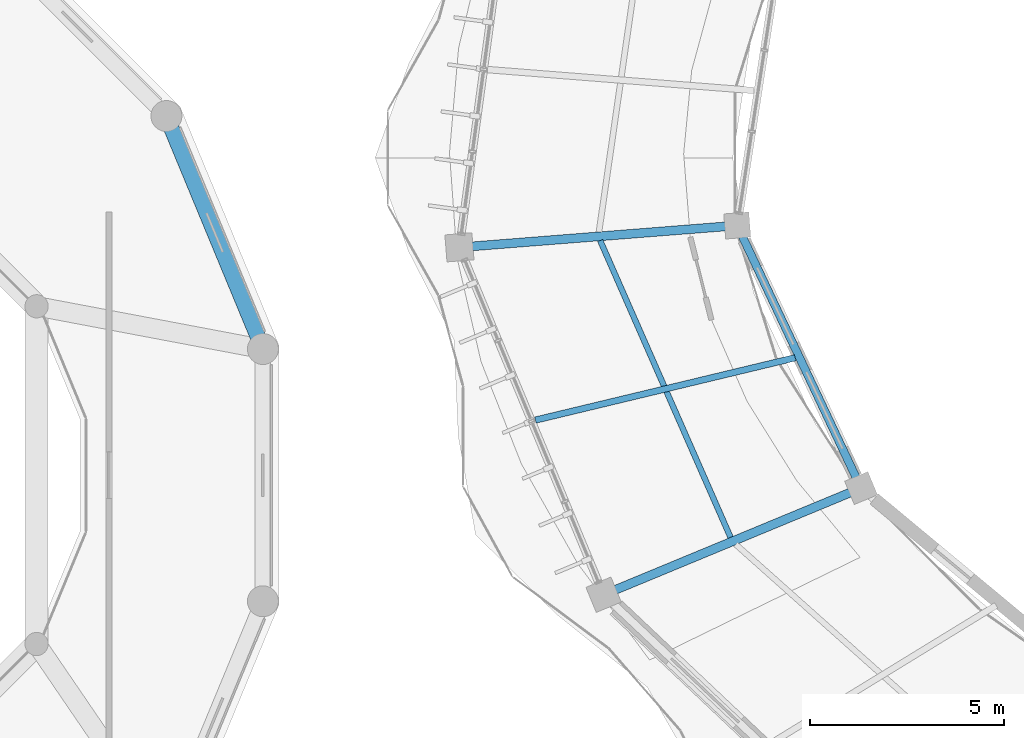
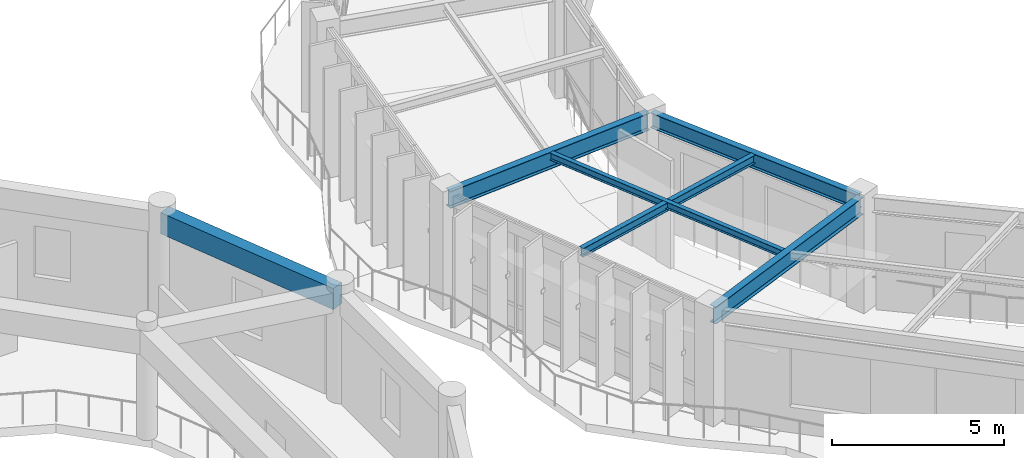
# One storey, part 38 of 138: 6 beams.
"""IFC4 building model written with IfcOpenShell, lengths in metres."""

from ifc_helpers import new_model, si_unit, direction, frame, origin, origin_2d, place, context, subcontext, project, spatial, rectangle, i_section, extrude, material, material_profile, profile_set, type_object, element, save


model = new_model("IFC4")

# Units and contexts
model_context = context("Model", 3, precision=1e-05, world=origin(), true_north=direction((0.0, 1.0)))
body_context = subcontext(model_context, "Body", "Model", "MODEL_VIEW")
ifc_project = project(units=[si_unit("LENGTHUNIT", "METRE"), si_unit("AREAUNIT", "SQUARE_METRE"), si_unit("VOLUMEUNIT", "CUBIC_METRE"), si_unit("PLANEANGLEUNIT", "RADIAN"), si_unit("MASSUNIT", "GRAM", prefix="KILO"), si_unit("THERMODYNAMICTEMPERATUREUNIT", "KELVIN"), si_unit("POWERUNIT", "WATT")], contexts=[model_context])

# Site, building, storey
site_placement = place(None, origin())
site = spatial("IfcSite", under=ifc_project, at=site_placement, CompositionType="ELEMENT")
building_placement = place(site_placement, origin())
building = spatial("IfcBuilding", under=site, at=building_placement, Name="Darbajah Civic Hall", CompositionType="ELEMENT")
storey_placement = place(building_placement, frame((0.0, 0.0, 9.60009765625)))
storey = spatial("IfcBuildingStorey", under=building, at=storey_placement, Name="L02", CompositionType="ELEMENT", Elevation=9.60009765625)

# Beams
ifc_material_1 = material(Name="Concrete C45/55", Category="concrete")
ifc_material_profile_1 = material_profile(ifc_material_1, rectangle(XDim=0.39990234375, YDim=0.75, at=origin_2d()), Name="RC SPANDREL 400x750")
ifc_profile_set_1 = profile_set([ifc_material_profile_1], Name="Concrete C45/55")
beam_type_1 = type_object("IfcBeamType", Name="RC SPANDREL 400x750", PredefinedType="SPANDREL", material=ifc_profile_set_1)
beam_1_placement = place(storey_placement, frame((33.1455078125, 84.94140625, 3.5048828125), z_axis=(-0.382683011449, 0.92387970686, 0.0), x_axis=(-0.92387970686, -0.382683011449, 0.0)))
element("IfcBeam", 1, at=beam_1_placement, inside=storey, type_object=beam_type_1, Name="L02 beam SP-4075", PredefinedType="SPANDREL", context=body_context, shape_type="SweptSolid", body=[
    extrude(rectangle(XDim=0.39990234375, YDim=0.75, at=origin_2d()), origin(), (0.0, 0.0, 1.0), 6.33642578125),
])
ifc_material_2 = material(Name="Steel S355JR", Category="steel")
ifc_material_profile_2 = material_profile(ifc_material_2, i_section(OverallWidth=0.146484375, OverallDepth=0.256103515625, WebThickness=0.00634765625, FlangeThickness=0.010986328125, FilletRadius=0.007568359375, at=origin_2d()), Name="UB 254x146x37")
ifc_profile_set_2 = profile_set([ifc_material_profile_2], Name="Steel S355JR")
beam_type_2 = type_object("IfcBeamType", Name="UB 254x146x37", PredefinedType="JOIST", material=ifc_profile_set_2)
beam_2_placement = place(storey_placement, frame((41.892822265625, 87.66162109375, 3.7919921875), z_axis=(0.402255928137, -0.915527262444, 0.0), x_axis=(0.915527262444, 0.402255928137, 0.0)))
element("IfcBeam", 2, at=beam_2_placement, inside=storey, type_object=beam_type_2, Name="L02 beam SJ-254", PredefinedType="JOIST", context=body_context, shape_type="SweptSolid", body=[
    extrude(i_section(OverallWidth=0.146484375, OverallDepth=0.256103515625, WebThickness=0.00634765625, FlangeThickness=0.010986328125, FilletRadius=0.007568359375, at=origin_2d()), origin(), (0.0, 0.0, 1.0), 8.37451171875),
])
ifc_material_profile_3 = material_profile(ifc_material_2, i_section(OverallWidth=0.165771484375, OverallDepth=0.306640625, WebThickness=0.006591796875, FlangeThickness=0.01171875, FilletRadius=0.0087890625, at=origin_2d()), Name="UB 305x165x46")
ifc_profile_set_3 = profile_set([ifc_material_profile_3], Name="Steel S355JR")
beam_type_3 = type_object("IfcBeamType", Name="UB 305x165x46", PredefinedType="JOIST", material=ifc_profile_set_3)
beam_3_placement = place(storey_placement, frame((46.931396484375, 84.633544921875, 3.7666015625), z_axis=(-0.972369643286, -0.233446518106, 0.0), x_axis=(0.233446518106, -0.972369643286, 0.0)))
element("IfcBeam", 3, at=beam_3_placement, inside=storey, type_object=beam_type_3, Name="L02 beam SJ-305", PredefinedType="JOIST", context=body_context, shape_type="SweptSolid", body=[
    extrude(i_section(OverallWidth=0.165771484375, OverallDepth=0.306640625, WebThickness=0.006591796875, FlangeThickness=0.01171875, FilletRadius=0.0087890625, at=origin_2d()), origin(), (0.0, 0.0, 1.0), 6.9033203125),
])
ifc_material_profile_4 = material_profile(ifc_material_2, i_section(OverallWidth=0.209228515625, OverallDepth=0.533203125, WebThickness=0.010009765625, FlangeThickness=0.015625, FilletRadius=0.0126953125, at=origin_2d()), Name="UB 533x210x92")
ifc_profile_set_4 = profile_set([ifc_material_profile_4], Name="Steel S355JR")
beam_type_4 = type_object("IfcBeamType", Name="UB 533x210x92", PredefinedType="BEAM", material=ifc_profile_set_4)
beam_4_placement = place(storey_placement, frame((45.468994140625, 87.97802734375, 3.6533203125), z_axis=(0.426541677675, -0.904467908334, 0.0), x_axis=(0.904467908334, 0.426541677675, 0.0)))
element("IfcBeam", 4, at=beam_4_placement, inside=storey, type_object=beam_type_4, Name="L02 beam SB-533", PredefinedType="BEAM", context=body_context, shape_type="SweptSolid", body=[
    extrude(i_section(OverallWidth=0.209228515625, OverallDepth=0.533203125, WebThickness=0.010009765625, FlangeThickness=0.015625, FilletRadius=0.0126953125, at=origin_2d()), origin(), (0.0, 0.0, 1.0), 7.340576171875),
])
ifc_material_profile_5 = material_profile(ifc_material_2, i_section(OverallWidth=0.228271484375, OverallDepth=0.607666015625, WebThickness=0.010986328125, FlangeThickness=0.017333984375, FilletRadius=0.0126953125, at=origin_2d()), Name="UB 610x229x113")
ifc_profile_set_5 = profile_set([ifc_material_profile_5], Name="Steel S355JR")
beam_type_5 = type_object("IfcBeamType", Name="UB 610x229x113", PredefinedType="BEAM", material=ifc_profile_set_5)
beam_5_placement = place(storey_placement, frame((45.355224609375, 88.044189453125, 3.6162109375), z_axis=(-0.996915809033, -0.078478466478, 0.0), x_axis=(0.078478466478, -0.996915809033, 0.0)))
element("IfcBeam", 5, at=beam_5_placement, inside=storey, type_object=beam_type_5, Name="L02 beam SB-610", PredefinedType="BEAM", context=body_context, shape_type="SweptSolid", body=[
    extrude(i_section(OverallWidth=0.228271484375, OverallDepth=0.607666015625, WebThickness=0.010986328125, FlangeThickness=0.017333984375, FilletRadius=0.0126953125, at=origin_2d()), origin(), (0.0, 0.0, 1.0), 7.0400390625),
])
beam_6_placement = place(storey_placement, frame((48.560302734375, 81.235595703125, 3.6162109375), z_axis=(-0.923885389571, -0.382669291867, 0.0), x_axis=(0.382669291867, -0.923885389571, 0.0)))
element("IfcBeam", 6, at=beam_6_placement, inside=storey, type_object=beam_type_5, Name="L02 beam SB-610", PredefinedType="BEAM", context=body_context, shape_type="SweptSolid", body=[
    extrude(i_section(OverallWidth=0.228271484375, OverallDepth=0.607666015625, WebThickness=0.010986328125, FlangeThickness=0.017333984375, FilletRadius=0.0126953125, at=origin_2d()), origin(), (0.0, 0.0, 1.0), 7.040283203125),
])

save(model, "model.ifc")
